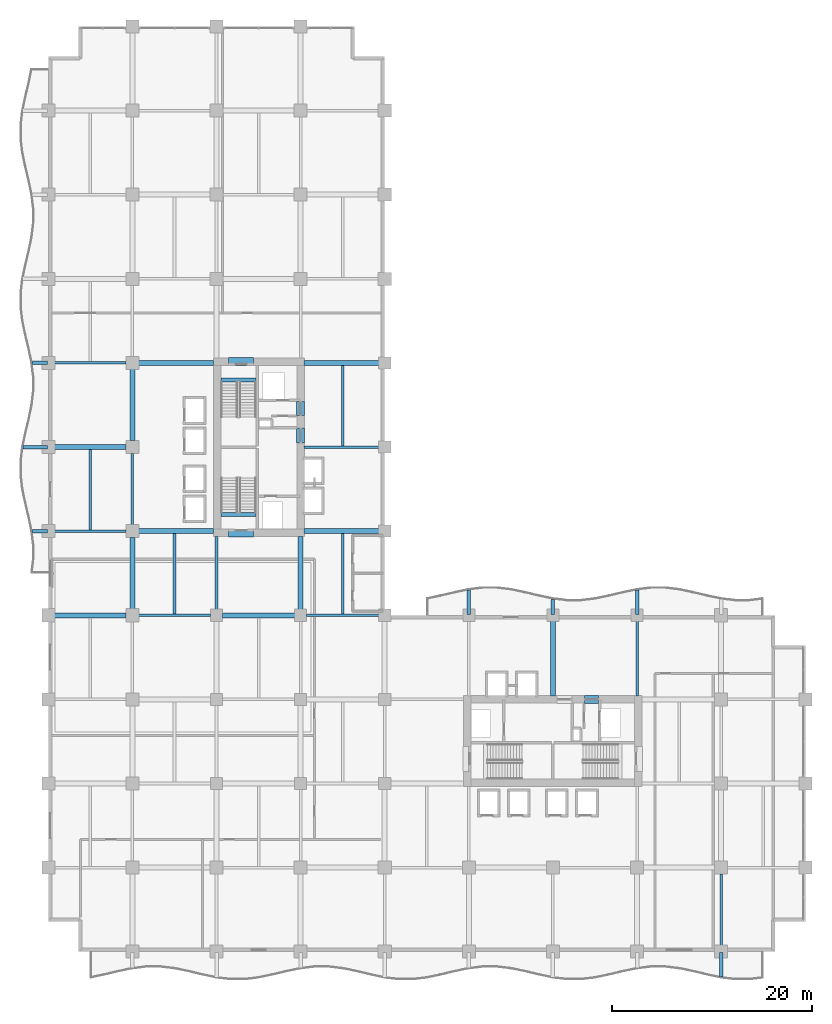
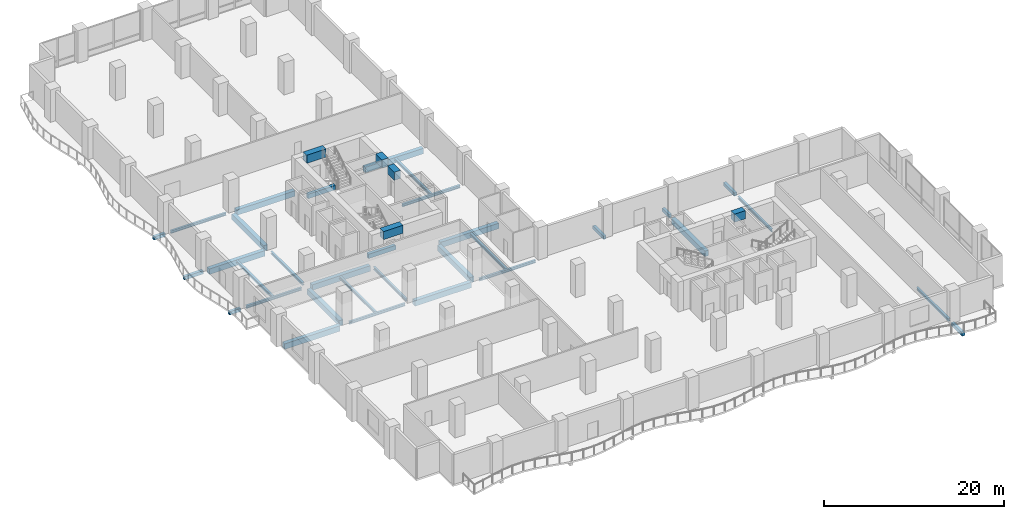
# One storey, part 2 of 24: 38 beams.
"""IFC4 building model written with IfcOpenShell, lengths in metres."""

from ifc_helpers import new_model, si_unit, direction, frame, origin, origin_2d, place, context, subcontext, project, spatial, rectangle, i_section, extrude, material, material_profile, profile_set, type_object, element, save


model = new_model("IFC4")

# Units and contexts
model_context = context("Model", 3, precision=1e-05, world=origin(), true_north=direction((0.0, 1.0)))
body_context = subcontext(model_context, "Body", "Model", "MODEL_VIEW")
ifc_project = project(units=[si_unit("LENGTHUNIT", "METRE"), si_unit("AREAUNIT", "SQUARE_METRE"), si_unit("VOLUMEUNIT", "CUBIC_METRE"), si_unit("PLANEANGLEUNIT", "RADIAN"), si_unit("MASSUNIT", "GRAM", prefix="KILO")], contexts=[model_context])

# Site, building, storey
site_placement = place(None, origin())
site = spatial("IfcSite", under=ifc_project, at=site_placement, CompositionType="ELEMENT")
building_placement = place(site_placement, origin())
building = spatial("IfcBuilding", under=site, at=building_placement, Name="Koriwani Terraces Tower", CompositionType="ELEMENT")
storey_placement = place(building_placement, frame((0.0, 0.0, 89.60009765625)))
storey = spatial("IfcBuildingStorey", under=building, at=storey_placement, Name="L21", CompositionType="ELEMENT", Elevation=89.60009765625)

# Beams
ifc_material_1 = material(Name="Concrete C40/50", Category="concrete")
ifc_material_profile_1 = material_profile(ifc_material_1, rectangle(XDim=0.35009765625, YDim=0.449951171875, at=origin_2d()), Name="Concrete C40/50", Category="LoadBearing")
ifc_profile_set_1 = profile_set([ifc_material_profile_1], Name="Concrete C40/50")
beam_type_1 = type_object("IfcBeamType", Name="BEAM_RC_BALCONY_RIB_350X450", PredefinedType="JOIST", material=ifc_profile_set_1)
beam_1_placement = place(storey_placement, frame((67.199951171875, -2.509521484375, -0.47509765625), z_axis=(0.0, 1.0, 0.0), x_axis=(-1.0, 0.0, 0.0)))
element("IfcBeam", 1, at=beam_1_placement, inside=storey, type_object=beam_type_1, Name="L21 Balcony Bracket Rib S-8", PredefinedType="JOIST", context=body_context, shape_type="SweptSolid", body=[
    extrude(rectangle(XDim=0.35009765625, YDim=0.449951171875, at=origin_2d()), origin(), (0.0, 0.0, 1.0), 2.409423828125),
])
beam_2_placement = place(storey_placement, frame((-1.59033203125, 42.0, -0.47509765625), z_axis=(1.0, 0.0, 0.0), x_axis=(0.0, 1.0, 0.0)))
element("IfcBeam", 2, at=beam_2_placement, inside=storey, type_object=beam_type_1, Name="L21 Balcony Bracket Rib W-1", PredefinedType="JOIST", context=body_context, shape_type="SweptSolid", body=[
    extrude(rectangle(XDim=0.35009765625, YDim=0.449951171875, at=origin_2d()), origin(), (0.0, 0.0, 1.0), 1.490234375),
])
beam_3_placement = place(storey_placement, frame((-2.509521484375, 50.39990234375, -0.47509765625), z_axis=(1.0, 0.0, 0.0), x_axis=(0.0, 1.0, 0.0)))
element("IfcBeam", 3, at=beam_3_placement, inside=storey, type_object=beam_type_1, Name="L21 Balcony Bracket Rib W-2", PredefinedType="JOIST", context=body_context, shape_type="SweptSolid", body=[
    extrude(rectangle(XDim=0.35009765625, YDim=0.449951171875, at=origin_2d()), origin(), (0.0, 0.0, 1.0), 2.409423828125),
])
beam_4_placement = place(storey_placement, frame((-1.59033203125, 58.800048828125, -0.47509765625), z_axis=(1.0, 0.0, 0.0), x_axis=(0.0, 1.0, 0.0)))
element("IfcBeam", 4, at=beam_4_placement, inside=storey, type_object=beam_type_1, Name="L21 Balcony Bracket Rib W-3", PredefinedType="JOIST", context=body_context, shape_type="SweptSolid", body=[
    extrude(rectangle(XDim=0.35009765625, YDim=0.449951171875, at=origin_2d()), origin(), (0.0, 0.0, 1.0), 1.490234375),
])
beam_5_placement = place(storey_placement, frame((42.0, 33.699951171875, -0.47509765625), z_axis=(0.0, 1.0, 0.0), x_axis=(-1.0, 0.0, 0.0)))
element("IfcBeam", 5, at=beam_5_placement, inside=storey, type_object=beam_type_1, Name="L21 Balcony Bracket Rib NE-1", PredefinedType="JOIST", context=body_context, shape_type="SweptSolid", body=[
    extrude(rectangle(XDim=0.35009765625, YDim=0.449951171875, at=origin_2d()), origin(), (0.0, 0.0, 1.0), 2.40966796875),
])
beam_6_placement = place(storey_placement, frame((50.39990234375, 33.699951171875, -0.47509765625), z_axis=(0.0, 1.0, 0.0), x_axis=(-1.0, 0.0, 0.0)))
element("IfcBeam", 6, at=beam_6_placement, inside=storey, type_object=beam_type_1, Name="L21 Balcony Bracket Rib NE-2", PredefinedType="JOIST", context=body_context, shape_type="SweptSolid", body=[
    extrude(rectangle(XDim=0.35009765625, YDim=0.449951171875, at=origin_2d()), origin(), (0.0, 0.0, 1.0), 1.490478515625),
])
beam_7_placement = place(storey_placement, frame((58.800048828125, 33.699951171875, -0.47509765625), z_axis=(0.0, 1.0, 0.0), x_axis=(-1.0, 0.0, 0.0)))
element("IfcBeam", 7, at=beam_7_placement, inside=storey, type_object=beam_type_1, Name="L21 Balcony Bracket Rib NE-3", PredefinedType="JOIST", context=body_context, shape_type="SweptSolid", body=[
    extrude(rectangle(XDim=0.35009765625, YDim=0.449951171875, at=origin_2d()), origin(), (0.0, 0.0, 1.0), 2.40966796875),
])
ifc_material_2 = material(Name="Concrete C60/75", Category="concrete")
ifc_material_profile_2 = material_profile(ifc_material_2, rectangle(XDim=0.800048828125, YDim=1.10009765625, at=origin_2d()), Name="Concrete C60/75", Category="LoadBearing")
ifc_profile_set_2 = profile_set([ifc_material_profile_2], Name="Concrete C60/75")
beam_type_2 = type_object("IfcBeamType", Name="BEAM_RC_COUPLING_800X1100", PredefinedType="LINTEL", material=ifc_profile_set_2)
beam_8_placement = place(storey_placement, frame((25.199951171875, 50.800048828125, 3.5), z_axis=(0.0, 1.0, 0.0), x_axis=(-1.0, 0.0, 0.0)))
element("IfcBeam", 8, at=beam_8_placement, inside=storey, type_object=beam_type_2, Name="L21 Core Coupling Lintel Beam WE1", PredefinedType="LINTEL", context=body_context, shape_type="SweptSolid", body=[
    extrude(rectangle(XDim=0.800048828125, YDim=1.10009765625, at=origin_2d()), origin(), (0.0, 0.0, 1.0), 1.47998046875),
])
beam_9_placement = place(storey_placement, frame((25.199951171875, 53.550048828125, 3.5), z_axis=(0.0, 1.0, 0.0), x_axis=(-1.0, 0.0, 0.0)))
element("IfcBeam", 9, at=beam_9_placement, inside=storey, type_object=beam_type_2, Name="L21 Core Coupling Lintel Beam WE2", PredefinedType="LINTEL", context=body_context, shape_type="SweptSolid", body=[
    extrude(rectangle(XDim=0.800048828125, YDim=1.10009765625, at=origin_2d()), origin(), (0.0, 0.0, 1.0), 1.39990234375),
])
for number, where, z_axis, x_axis, name in (
    (10, (18.0, 41.824951171875, 3.5), (1.0, 0.0, 0.0), (0.0, 1.0, 0.0), "L21 Core Coupling Lintel Beam WS"),
    (11, (18.0, 58.925048828125, 3.5), (1.0, 0.0, 0.0), (0.0, 1.0, 0.0), "L21 Core Coupling Lintel Beam WN"),
):
    element("IfcBeam", number, at=place(storey_placement, frame(where, z_axis=z_axis, x_axis=x_axis)), inside=storey, type_object=beam_type_2, Name=name, PredefinedType="LINTEL", context=body_context, shape_type="SweptSolid", body=[
        extrude(rectangle(XDim=0.800048828125, YDim=1.10009765625, at=origin_2d()), origin(), (0.0, 0.0, 1.0), 2.5),
    ])
beam_10_placement = place(storey_placement, frame((53.550048828125, 25.199951171875, 3.5), z_axis=(1.0, 0.0, 0.0), x_axis=(0.0, 1.0, 0.0)))
element("IfcBeam", 12, at=beam_10_placement, inside=storey, type_object=beam_type_2, Name="L21 Core Coupling Lintel Beam EN2", PredefinedType="LINTEL", context=body_context, shape_type="SweptSolid", body=[
    extrude(rectangle(XDim=0.800048828125, YDim=1.10009765625, at=origin_2d()), origin(), (0.0, 0.0, 1.0), 1.39990234375),
])
ifc_material_profile_3 = material_profile(ifc_material_1, rectangle(XDim=0.39990234375, YDim=0.60009765625, at=origin_2d()), Name="Concrete C40/50", Category="LoadBearing")
ifc_profile_set_3 = profile_set([ifc_material_profile_3], Name="Concrete C40/50")
beam_type_3 = type_object("IfcBeamType", Name="BEAM_RC_GRID_400X600", PredefinedType="BEAM", material=ifc_profile_set_3)
for number, where, z_axis, x_axis, name in (
    (13, (17.25, 43.655029296875, -0.300048828125), (1.0, 0.0, 0.0), (0.0, 1.0, 0.0), "L21 Stairwell Header Trimmer Beam ST-W1"),
    (14, (17.25, 57.094970703125, -0.300048828125), (1.0, 0.0, 0.0), (0.0, 1.0, 0.0), "L21 Stairwell Header Trimmer Beam ST-W2"),
):
    element("IfcBeam", number, at=place(storey_placement, frame(where, z_axis=z_axis, x_axis=x_axis)), inside=storey, type_object=beam_type_3, Name=name, PredefinedType="BEAM", context=body_context, shape_type="SweptSolid", body=[
        extrude(rectangle(XDim=0.39990234375, YDim=0.60009765625, at=origin_2d()), origin(), (0.0, 0.0, 1.0), 3.5),
    ])
ifc_material_3 = material(Name="Concrete C50/60", Category="concrete")
ifc_material_profile_4 = material_profile(ifc_material_3, rectangle(XDim=0.5, YDim=0.75, at=origin_2d()), Name="Concrete C50/60", Category="LoadBearing")
ifc_profile_set_4 = profile_set([ifc_material_profile_4], Name="Concrete C50/60")
beam_type_4 = type_object("IfcBeamType", Name="BEAM_RC_GRID_500X750", PredefinedType="BEAM", material=ifc_profile_set_4)
beam_11_placement = place(storey_placement, frame((0.6298828125, 33.60009765625, -0.625), z_axis=(1.0, 0.0, 0.0), x_axis=(0.0, 1.0, 0.0)))
element("IfcBeam", 15, at=beam_11_placement, inside=storey, type_object=beam_type_4, Name="L21 Grid Beam E (0.0-8.4m)", PredefinedType="BEAM", context=body_context, shape_type="SweptSolid", body=[
    extrude(rectangle(XDim=0.5, YDim=0.75, at=origin_2d()), origin(), (0.0, 0.0, 1.0), 7.14013671875),
])
beam_12_placement = place(storey_placement, frame((17.3798828125, 33.60009765625, -0.625), z_axis=(1.0, 0.0, 0.0), x_axis=(0.0, 1.0, 0.0)))
element("IfcBeam", 16, at=beam_12_placement, inside=storey, type_object=beam_type_4, Name="L21 Grid Beam E (16.8-25.2m)", PredefinedType="BEAM", context=body_context, shape_type="SweptSolid", body=[
    extrude(rectangle(XDim=0.5, YDim=0.75, at=origin_2d()), origin(), (0.0, 0.0, 1.0), 7.240234375),
])
beam_13_placement = place(storey_placement, frame((9.030029296875, 42.0, -0.625), z_axis=(1.0, 0.0, 0.0), x_axis=(0.0, 1.0, 0.0)))
element("IfcBeam", 17, at=beam_13_placement, inside=storey, type_object=beam_type_4, Name="L21 Grid Beam F (8.4-16.8m)", PredefinedType="BEAM", context=body_context, shape_type="SweptSolid", body=[
    extrude(rectangle(XDim=0.5, YDim=0.75, at=origin_2d()), origin(), (0.0, 0.0, 1.0), 7.489990234375),
])
beam_14_placement = place(storey_placement, frame((25.554931640625, 42.0, -0.625), z_axis=(1.0, 0.0, 0.0), x_axis=(0.0, 1.0, 0.0)))
element("IfcBeam", 18, at=beam_14_placement, inside=storey, type_object=beam_type_4, Name="L21 Grid Beam F (25.2-33.6m)", PredefinedType="BEAM", context=body_context, shape_type="SweptSolid", body=[
    extrude(rectangle(XDim=0.5, YDim=0.75, at=origin_2d()), origin(), (0.0, 0.0, 1.0), 7.465087890625),
])
beam_15_placement = place(storey_placement, frame((0.6298828125, 50.39990234375, -0.625), z_axis=(1.0, 0.0, 0.0), x_axis=(0.0, 1.0, 0.0)))
element("IfcBeam", 19, at=beam_15_placement, inside=storey, type_object=beam_type_4, Name="L21 Grid Beam G (0.0-8.4m)", PredefinedType="BEAM", context=body_context, shape_type="SweptSolid", body=[
    extrude(rectangle(XDim=0.5, YDim=0.75, at=origin_2d()), origin(), (0.0, 0.0, 1.0), 7.14013671875),
])
beam_16_placement = place(storey_placement, frame((9.030029296875, 58.800048828125, -0.625), z_axis=(1.0, 0.0, 0.0), x_axis=(0.0, 1.0, 0.0)))
element("IfcBeam", 20, at=beam_16_placement, inside=storey, type_object=beam_type_4, Name="L21 Grid Beam H (8.4-16.8m)", PredefinedType="BEAM", context=body_context, shape_type="SweptSolid", body=[
    extrude(rectangle(XDim=0.5, YDim=0.75, at=origin_2d()), origin(), (0.0, 0.0, 1.0), 7.489990234375),
])
beam_17_placement = place(storey_placement, frame((25.554931640625, 58.800048828125, -0.625), z_axis=(1.0, 0.0, 0.0), x_axis=(0.0, 1.0, 0.0)))
element("IfcBeam", 21, at=beam_17_placement, inside=storey, type_object=beam_type_4, Name="L21 Grid Beam H (25.2-33.6m)", PredefinedType="BEAM", context=body_context, shape_type="SweptSolid", body=[
    extrude(rectangle(XDim=0.5, YDim=0.75, at=origin_2d()), origin(), (0.0, 0.0, 1.0), 7.465087890625),
])
beam_18_placement = place(storey_placement, frame((8.39990234375, 34.22998046875, -0.625), z_axis=(0.0, 1.0, 0.0), x_axis=(-1.0, 0.0, 0.0)))
element("IfcBeam", 22, at=beam_18_placement, inside=storey, type_object=beam_type_4, Name="L21 Grid Beam 2 (33.6-42.0m)", PredefinedType="BEAM", context=body_context, shape_type="SweptSolid", body=[
    extrude(rectangle(XDim=0.5, YDim=0.75, at=origin_2d()), origin(), (0.0, 0.0, 1.0), 7.14013671875),
])
beam_19_placement = place(storey_placement, frame((8.39990234375, 51.030029296875, -0.625), z_axis=(0.0, 1.0, 0.0), x_axis=(-1.0, 0.0, 0.0)))
element("IfcBeam", 23, at=beam_19_placement, inside=storey, type_object=beam_type_4, Name="L21 Grid Beam 2 (50.4-58.8m)", PredefinedType="BEAM", context=body_context, shape_type="SweptSolid", body=[
    extrude(rectangle(XDim=0.5, YDim=0.75, at=origin_2d()), origin(), (0.0, 0.0, 1.0), 7.139892578125),
])
beam_20_placement = place(storey_placement, frame((25.199951171875, 34.179931640625, -0.625), z_axis=(0.0, 1.0, 0.0), x_axis=(-1.0, 0.0, 0.0)))
element("IfcBeam", 24, at=beam_20_placement, inside=storey, type_object=beam_type_4, Name="L21 Grid Beam 4 (33.6-42.0m)", PredefinedType="BEAM", context=body_context, shape_type="SweptSolid", body=[
    extrude(rectangle(XDim=0.5, YDim=0.75, at=origin_2d()), origin(), (0.0, 0.0, 1.0), 7.2900390625),
])
beam_21_placement = place(storey_placement, frame((50.39990234375, 25.554931640625, -0.625), z_axis=(0.0, 1.0, 0.0), x_axis=(-1.0, 0.0, 0.0)))
element("IfcBeam", 25, at=beam_21_placement, inside=storey, type_object=beam_type_4, Name="L21 Grid Beam 7 (25.2-33.6m)", PredefinedType="BEAM", context=body_context, shape_type="SweptSolid", body=[
    extrude(rectangle(XDim=0.5, YDim=0.75, at=origin_2d()), origin(), (0.0, 0.0, 1.0), 7.465087890625),
])
ifc_material_4 = material(Name="Steel ASTM A572 Grade 50", Category="steel")
ifc_material_profile_5 = material_profile(ifc_material_4, i_section(OverallWidth=0.257080078125, OverallDepth=0.363037109375, WebThickness=0.012939453125, FlangeThickness=0.021728515625, at=origin_2d()), Name="Steel ASTM A572 Grade 50", Category="LoadBearing")
ifc_profile_set_5 = profile_set([ifc_material_profile_5], Name="Steel ASTM A572 Grade 50")
beam_type_5 = type_object("IfcBeamType", Name="STEEL_BEAM_W360X122", PredefinedType="JOIST", material=ifc_profile_set_5)
beam_22_placement = place(storey_placement, frame((9.030029296875, 33.60009765625, -0.431640625), z_axis=(1.0, 0.0, 0.0), x_axis=(0.0, 1.0, 0.0)))
element("IfcBeam", 26, at=beam_22_placement, inside=storey, type_object=beam_type_5, Name="L21 Grid Beam E (8.4-16.8m)", PredefinedType="JOIST", context=body_context, shape_type="SweptSolid", body=[
    extrude(i_section(OverallWidth=0.257080078125, OverallDepth=0.363037109375, WebThickness=0.012939453125, FlangeThickness=0.021728515625, at=origin_2d()), origin(), (0.0, 0.0, 1.0), 7.18994140625),
])
beam_23_placement = place(storey_placement, frame((25.780029296875, 33.60009765625, -0.431640625), z_axis=(1.0, 0.0, 0.0), x_axis=(0.0, 1.0, 0.0)))
element("IfcBeam", 27, at=beam_23_placement, inside=storey, type_object=beam_type_5, Name="L21 Grid Beam E (25.2-33.6m)", PredefinedType="JOIST", context=body_context, shape_type="SweptSolid", body=[
    extrude(i_section(OverallWidth=0.257080078125, OverallDepth=0.363037109375, WebThickness=0.012939453125, FlangeThickness=0.021728515625, at=origin_2d()), origin(), (0.0, 0.0, 1.0), 7.239990234375),
])
beam_24_placement = place(storey_placement, frame((0.6298828125, 42.0, -0.431640625), z_axis=(1.0, 0.0, 0.0), x_axis=(0.0, 1.0, 0.0)))
element("IfcBeam", 28, at=beam_24_placement, inside=storey, type_object=beam_type_5, Name="L21 Grid Beam F (0.0-8.4m)", PredefinedType="JOIST", context=body_context, shape_type="SweptSolid", body=[
    extrude(i_section(OverallWidth=0.257080078125, OverallDepth=0.363037109375, WebThickness=0.012939453125, FlangeThickness=0.021728515625, at=origin_2d()), origin(), (0.0, 0.0, 1.0), 7.14013671875),
])
beam_25_placement = place(storey_placement, frame((25.554931640625, 50.39990234375, -0.431640625), z_axis=(1.0, 0.0, 0.0), x_axis=(0.0, 1.0, 0.0)))
element("IfcBeam", 29, at=beam_25_placement, inside=storey, type_object=beam_type_5, Name="L21 Grid Beam G (25.2-33.6m)", PredefinedType="JOIST", context=body_context, shape_type="SweptSolid", body=[
    extrude(i_section(OverallWidth=0.257080078125, OverallDepth=0.363037109375, WebThickness=0.012939453125, FlangeThickness=0.021728515625, at=origin_2d()), origin(), (0.0, 0.0, 1.0), 7.465087890625),
])
for number, where, z_axis, x_axis, name in (
    (30, (0.6298828125, 58.800048828125, -0.431640625), (1.0, 0.0, 0.0), (0.0, 1.0, 0.0), "L21 Grid Beam H (0.0-8.4m)"),
    (31, (8.39990234375, 42.6298828125, -0.431640625), (0.0, 1.0, 0.0), (-1.0, 0.0, 0.0), "L21 Grid Beam 2 (42.0-50.4m)"),
):
    element("IfcBeam", number, at=place(storey_placement, frame(where, z_axis=z_axis, x_axis=x_axis)), inside=storey, type_object=beam_type_5, Name=name, PredefinedType="JOIST", context=body_context, shape_type="SweptSolid", body=[
        extrude(i_section(OverallWidth=0.257080078125, OverallDepth=0.363037109375, WebThickness=0.012939453125, FlangeThickness=0.021728515625, at=origin_2d()), origin(), (0.0, 0.0, 1.0), 7.14013671875),
    ])
beam_26_placement = place(storey_placement, frame((16.800048828125, 34.179931640625, -0.431640625), z_axis=(0.0, 1.0, 0.0), x_axis=(-1.0, 0.0, 0.0)))
element("IfcBeam", 32, at=beam_26_placement, inside=storey, type_object=beam_type_5, Name="L21 Grid Beam 3 (33.6-42.0m)", PredefinedType="JOIST", context=body_context, shape_type="SweptSolid", body=[
    extrude(i_section(OverallWidth=0.257080078125, OverallDepth=0.363037109375, WebThickness=0.012939453125, FlangeThickness=0.021728515625, at=origin_2d()), origin(), (0.0, 0.0, 1.0), 7.2900390625),
])
beam_27_placement = place(storey_placement, frame((58.800048828125, 25.554931640625, -0.431640625), z_axis=(0.0, 1.0, 0.0), x_axis=(-1.0, 0.0, 0.0)))
element("IfcBeam", 33, at=beam_27_placement, inside=storey, type_object=beam_type_5, Name="L21 Grid Beam 8 (25.2-33.6m)", PredefinedType="JOIST", context=body_context, shape_type="SweptSolid", body=[
    extrude(i_section(OverallWidth=0.257080078125, OverallDepth=0.363037109375, WebThickness=0.012939453125, FlangeThickness=0.021728515625, at=origin_2d()), origin(), (0.0, 0.0, 1.0), 7.465087890625),
])
beam_28_placement = place(storey_placement, frame((67.199951171875, 0.6298828125, -0.431640625), z_axis=(0.0, 1.0, 0.0), x_axis=(-1.0, 0.0, 0.0)))
element("IfcBeam", 34, at=beam_28_placement, inside=storey, type_object=beam_type_5, Name="L21 Grid Beam 9 (0.0-8.4m)", PredefinedType="JOIST", context=body_context, shape_type="SweptSolid", body=[
    extrude(i_section(OverallWidth=0.257080078125, OverallDepth=0.363037109375, WebThickness=0.012939453125, FlangeThickness=0.021728515625, at=origin_2d()), origin(), (0.0, 0.0, 1.0), 7.14013671875),
])
for number, where, z_axis, x_axis, name in (
    (35, (4.199951171875, 42.118408203125, -0.431640625), (0.0, 1.0, 0.0), (-1.0, 0.0, 0.0), "L21 Secondary Steel Floor Joist X=4.2m"),
    (36, (12.60009765625, 33.718505859375, -0.431640625), (0.0, 1.0, 0.0), (-1.0, 0.0, 0.0), "L21 Secondary Steel Floor Joist X=12.6m"),
    (37, (29.39990234375, 33.718505859375, -0.431640625), (0.0, 1.0, 0.0), (-1.0, 0.0, 0.0), "L21 Secondary Steel Floor Joist X=29.4m"),
    (38, (29.39990234375, 50.5185546875, -0.431640625), (0.0, 1.0, 0.0), (-1.0, 0.0, 0.0), "L21 Secondary Steel Floor Joist X=29.4m"),
):
    element("IfcBeam", number, at=place(storey_placement, frame(where, z_axis=z_axis, x_axis=x_axis)), inside=storey, type_object=beam_type_5, Name=name, PredefinedType="JOIST", context=body_context, shape_type="SweptSolid", body=[
        extrude(i_section(OverallWidth=0.257080078125, OverallDepth=0.363037109375, WebThickness=0.012939453125, FlangeThickness=0.021728515625, at=origin_2d()), origin(), (0.0, 0.0, 1.0), 8.04150390625),
    ])

save(model, "model.ifc")
